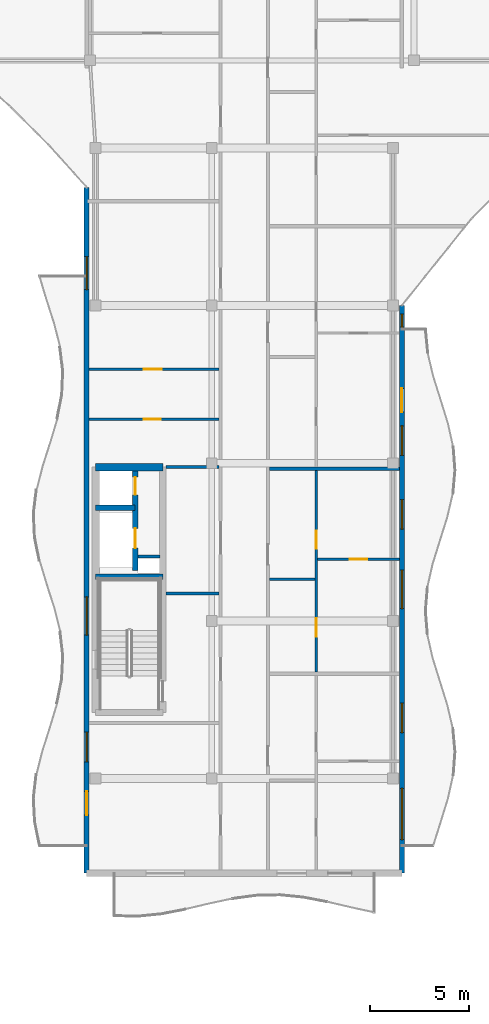
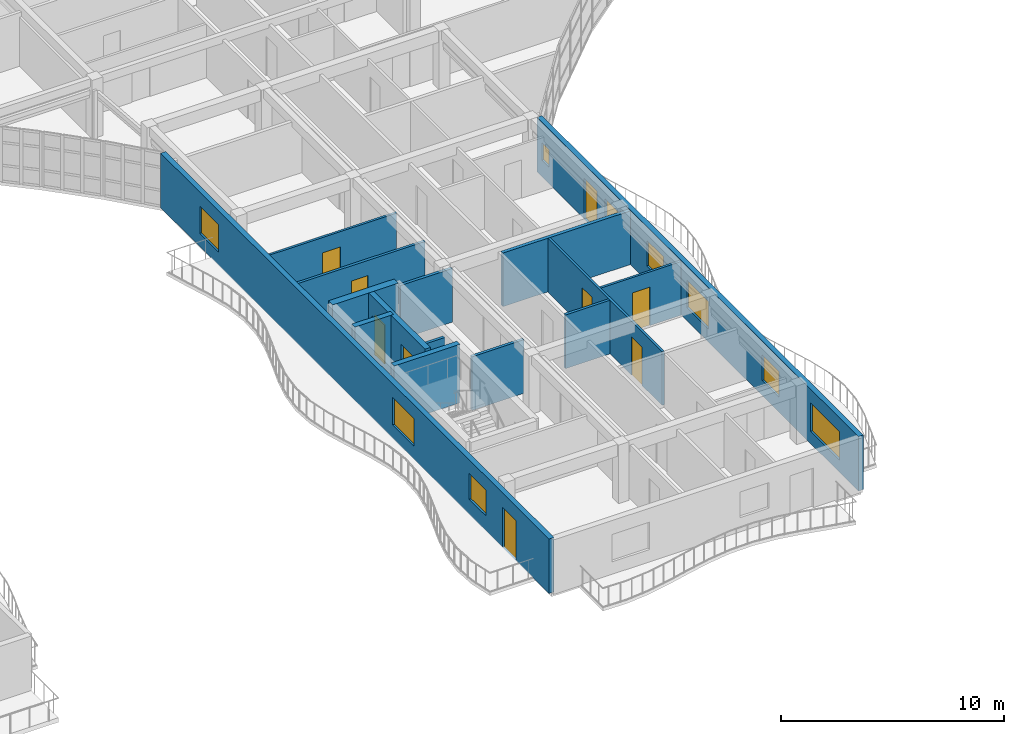
# One storey, part 30 of 68: 15 walls, 9 doors, 9 windows, 18 openings.
"""IFC4 building model written with IfcOpenShell, lengths in metres."""

from ifc_helpers import new_model, si_unit, direction, frame, frame_2d, origin, place, context, subcontext, project, spatial, rectangle, extrude, material, layer, layer_set, type_object, element, fill, save


model = new_model("IFC4")

# Units and contexts
model_context = context("Model", 3, precision=1e-05, world=origin(), true_north=direction((0.0, 1.0)))
body_context = subcontext(model_context, "Body", "Model", "MODEL_VIEW")
ifc_project = project(units=[si_unit("LENGTHUNIT", "METRE"), si_unit("AREAUNIT", "SQUARE_METRE"), si_unit("VOLUMEUNIT", "CUBIC_METRE"), si_unit("PLANEANGLEUNIT", "RADIAN"), si_unit("MASSUNIT", "GRAM", prefix="KILO")], contexts=[model_context])

# Site, building, storey
site_placement = place(None, origin())
site = spatial("IfcSite", under=ifc_project, at=site_placement, CompositionType="ELEMENT")
building_placement = place(site_placement, origin())
building = spatial("IfcBuilding", under=site, at=building_placement, Name="Keldmere Railside Commons", CompositionType="ELEMENT")
storey_placement = place(building_placement, frame((0.0, 0.0, 23.360107421875)))
storey = spatial("IfcBuildingStorey", under=building, at=storey_placement, Name="L07", CompositionType="ELEMENT", Elevation=23.360107421875)

# Wall
ifc_material_1 = material(Name="Acoustic Gypsum Board Partition", Category="gypsum")
ifc_layer_1 = layer(ifc_material_1, 0.179931640625, Name="Acoustic Demising Partition 180")
ifc_layer_set_1 = layer_set([ifc_layer_1], Name="Acoustic Gypsum Board Partition")
wall_type_1 = type_object("IfcWallType", Name="Acoustic Demising Partition 180", PredefinedType="PARTITIONING", material=ifc_layer_set_1)
wall_1_placement = place(storey_placement, frame((57.280029296875, 79.719970703125, 0.0), z_axis=(0.0, 0.0, 1.0), x_axis=(1.0, 0.0, 0.0)))
element("IfcWall", 1, at=wall_1_placement, inside=storey, type_object=wall_type_1, Name="IW-1 IW-L07-0782", PredefinedType="PARTITIONING", context=body_context, shape_type="SweptSolid", body=[
    extrude(rectangle(XDim=6.590087890625, YDim=0.179931640625, at=frame_2d((3.294921875, 0.0))), origin(), (0.0, 0.0, 1.0), 2.934814453125),
])

# Wall, openings, doors
ifc_layer_2 = layer(ifc_material_1, 0.1201171875, Name="Apartment Interior Partition 120")
ifc_layer_set_2 = layer_set([ifc_layer_2], Name="Acoustic Gypsum Board Partition")
wall_type_2 = type_object("IfcWallType", Name="Apartment Interior Partition 120", PredefinedType="PARTITIONING", material=ifc_layer_set_2)
wall_2_placement = place(storey_placement, frame((59.659912109375, 69.39990234375, 0.0), z_axis=(0.0, 0.0, 1.0), x_axis=(0.0, 1.0, 0.0)))
wall_2 = element("IfcWall", 2, at=wall_2_placement, inside=storey, type_object=wall_type_2, Name="IW-4 IW-L07-0787", PredefinedType="PARTITIONING", context=body_context, shape_type="SweptSolid", body=[
    extrude(rectangle(XDim=10.22998046875, YDim=0.1201171875, at=frame_2d((5.114990234375, 0.0))), origin(), (0.0, 0.0, 1.0), 2.934814453125),
])
opening_1_placement = place(wall_2_placement, frame((1.789794921875, 0.0, 0.0)))
opening_1 = element("IfcOpeningElement", 3, at=opening_1_placement, cuts=wall_2, Name="Opening ID-05", PredefinedType="OPENING", context=body_context, shape_type="SweptSolid", body=[
    extrude(rectangle(XDim=0.93994140625, YDim=2.10009765625, at=frame_2d((0.469970703125, 1.050048828125))), frame((0.0, 0.070068359375, 0.0), z_axis=(0.0, -1.0, 0.0), x_axis=(1.0, 0.0, 0.0)), (0.0, 0.0, 1.0), 0.14013671875),
])
opening_2_placement = place(wall_2_placement, frame((6.255615234375, 0.0, 0.0)))
opening_2 = element("IfcOpeningElement", 4, at=opening_2_placement, cuts=wall_2, Name="Opening ID-03", PredefinedType="OPENING", context=body_context, shape_type="SweptSolid", body=[
    extrude(rectangle(XDim=0.919921875, YDim=2.10009765625, at=frame_2d((0.4599609375, 1.050048828125))), frame((0.0, 0.070068359375, 0.0), z_axis=(0.0, -1.0, 0.0), x_axis=(1.0, 0.0, 0.0)), (0.0, 0.0, 1.0), 0.14013671875),
])
ifc_material_2 = material(Name="Engineered Oak Timber", Category="wood")
door_type_1 = type_object("IfcDoorType", Name="Accessible Bathroom Door 940x2100", OperationType="NOTDEFINED", PredefinedType="DOOR", material=ifc_material_2)
door_1_placement = place(opening_1_placement, origin())
door_1 = element("IfcDoor", 5, at=door_1_placement, inside=storey, type_object=door_type_1, Name="ID-05 IDR-L07-0667", OperationType="SINGLE_SWING_LEFT", OverallHeight=2.10009765625, OverallWidth=0.93994140625, PredefinedType="DOOR", context=body_context, shape_type="SweptSolid", body=[
    extrude(rectangle(XDim=0.93994140625, YDim=2.10009765625, at=frame_2d((0.469970703125, 1.050048828125))), frame((0.0, 0.02490234375, 0.0), z_axis=(0.0, -1.0, 0.0), x_axis=(1.0, 0.0, 0.0)), (0.0, 0.0, 1.0), 0.050048828125),
])
fill(opening_1, door_1)
door_type_2 = type_object("IfcDoorType", Name="Kitchen Pocket-Frame Swing Door 920x2100", OperationType="NOTDEFINED", PredefinedType="DOOR", material=ifc_material_2)
door_2_placement = place(opening_2_placement, origin())
door_2 = element("IfcDoor", 6, at=door_2_placement, inside=storey, type_object=door_type_2, Name="ID-03 IDR-L07-0668", OperationType="SINGLE_SWING_RIGHT", OverallHeight=2.10009765625, OverallWidth=0.919921875, PredefinedType="DOOR", context=body_context, shape_type="SweptSolid", body=[
    extrude(rectangle(XDim=0.919921875, YDim=2.10009765625, at=frame_2d((0.4599609375, 1.050048828125))), frame((0.0, 0.02490234375, 0.0), z_axis=(0.0, -1.0, 0.0), x_axis=(1.0, 0.0, 0.0)), (0.0, 0.0, 1.0), 0.050048828125),
])
fill(opening_2, door_2)

# Wall, opening, door
wall_3_placement = place(storey_placement, frame((59.719970703125, 75.1298828125, 0.0), z_axis=(0.0, 0.0, 1.0), x_axis=(1.0, 0.0, 0.0)))
wall_3 = element("IfcWall", 7, at=wall_3_placement, inside=storey, type_object=wall_type_2, Name="IW-4 IW-L07-0789", PredefinedType="PARTITIONING", context=body_context, shape_type="SweptSolid", body=[
    extrude(rectangle(XDim=4.150146484375, YDim=0.1201171875, at=frame_2d((2.0751953125, 0.0))), origin(), (0.0, 0.0, 1.0), 2.934814453125),
])
opening_3_placement = place(wall_3_placement, frame((1.625, 0.0, 0.0)))
opening_3 = element("IfcOpeningElement", 8, at=opening_3_placement, cuts=wall_3, Name="Opening ID-01", PredefinedType="OPENING", context=body_context, shape_type="SweptSolid", body=[
    extrude(rectangle(XDim=0.89990234375, YDim=2.10009765625, at=frame_2d((0.449951171875, 1.050048828125))), frame((0.0, 0.070068359375, 0.0), z_axis=(0.0, -1.0, 0.0), x_axis=(1.0, 0.0, 0.0)), (0.0, 0.0, 1.0), 0.14013671875),
])
door_type_3 = type_object("IfcDoorType", Name="Primary Bedroom Door 900x2100", OperationType="NOTDEFINED", PredefinedType="DOOR", material=ifc_material_2)
door_3_placement = place(opening_3_placement, origin())
door_3 = element("IfcDoor", 9, at=door_3_placement, inside=storey, type_object=door_type_3, Name="ID-01 IDR-L07-0670", OperationType="SINGLE_SWING_RIGHT", OverallHeight=2.10009765625, OverallWidth=0.89990234375, PredefinedType="DOOR", context=body_context, shape_type="SweptSolid", body=[
    extrude(rectangle(XDim=0.89990234375, YDim=2.10009765625, at=frame_2d((0.449951171875, 1.050048828125))), frame((0.0, 0.02490234375, 0.0), z_axis=(0.0, -1.0, 0.0), x_axis=(1.0, 0.0, 0.0)), (0.0, 0.0, 1.0), 0.050048828125),
])
fill(opening_3, door_3)

wall_4_placement = place(storey_placement, frame((48.1298828125, 84.780029296875, 0.0), z_axis=(0.0, 0.0, 1.0), x_axis=(1.0, 0.0, 0.0)))
wall_4 = element("IfcWall", 10, at=wall_4_placement, inside=storey, type_object=wall_type_2, Name="IW-4 IW-L07-0809", PredefinedType="PARTITIONING", context=body_context, shape_type="SweptSolid", body=[
    extrude(rectangle(XDim=6.590087890625, YDim=0.1201171875, at=frame_2d((3.294921875, 0.0))), origin(), (0.0, 0.0, 1.0), 2.934814453125),
])
opening_4_placement = place(wall_4_placement, frame((2.767822265625, 0.0, 0.0)))
opening_4 = element("IfcOpeningElement", 11, at=opening_4_placement, cuts=wall_4, Name="Opening ID-03", PredefinedType="OPENING", context=body_context, shape_type="SweptSolid", body=[
    extrude(rectangle(XDim=0.919921875, YDim=2.10009765625, at=frame_2d((0.4599609375, 1.050048828125))), frame((0.0, 0.070068359375, 0.0), z_axis=(0.0, -1.0, 0.0), x_axis=(1.0, 0.0, 0.0)), (0.0, 0.0, 1.0), 0.14013671875),
])
door_4_placement = place(opening_4_placement, origin())
door_4 = element("IfcDoor", 12, at=door_4_placement, inside=storey, type_object=door_type_2, Name="ID-03 IDR-L07-0695", OperationType="SINGLE_SWING_LEFT", OverallHeight=2.10009765625, OverallWidth=0.919921875, PredefinedType="DOOR", context=body_context, shape_type="SweptSolid", body=[
    extrude(rectangle(XDim=0.919921875, YDim=2.10009765625, at=frame_2d((0.4599609375, 1.050048828125))), frame((0.0, 0.02490234375, 0.0), z_axis=(0.0, -1.0, 0.0), x_axis=(1.0, 0.0, 0.0)), (0.0, 0.0, 1.0), 0.050048828125),
])
fill(opening_4, door_4)

# Walls
ifc_material_3 = material(Name="Concrete H-35 (C35/45)", Category="concrete")
ifc_layer_3 = layer(ifc_material_3, 0.280029296875, Name="Core Shear Wall 280")
ifc_layer_set_3 = layer_set([ifc_layer_3], Name="Concrete H-35 (C35/45)")
wall_type_3 = type_object("IfcWallType", Name="Core Shear Wall 280", PredefinedType="SHEAR", material=ifc_layer_set_3)
wall_5_placement = place(storey_placement, frame((48.4599609375, 74.239990234375, 0.0), z_axis=(0.0, 0.0, 1.0), x_axis=(1.0, 0.0, 0.0)))
element("IfcWall", 13, at=wall_5_placement, inside=storey, type_object=wall_type_3, Name="CSW-2 CORECM-L07-0286", PredefinedType="SHEAR", context=body_context, shape_type="SweptSolid", body=[
    extrude(rectangle(XDim=3.41015625, YDim=0.280029296875, at=frame_2d((1.705078125, 0.0))), origin(), (0.0, 0.0, 1.0), 3.199951171875),
])
wall_6_placement = place(storey_placement, frame((48.4599609375, 77.75, 0.0), z_axis=(0.0, 0.0, 1.0), x_axis=(1.0, 0.0, 0.0)))
element("IfcWall", 14, at=wall_6_placement, inside=storey, type_object=wall_type_3, Name="CSW-2 CORECL-L07-0287", PredefinedType="SHEAR", context=body_context, shape_type="SweptSolid", body=[
    extrude(rectangle(XDim=2.0, YDim=0.280029296875, at=frame_2d((1.0, 0.0))), origin(), (0.0, 0.0, 1.0), 3.199951171875),
])

# Wall, openings, doors
wall_7_placement = place(storey_placement, frame((50.4599609375, 74.550048828125, 0.0), z_axis=(0.0, 0.0, 1.0), x_axis=(0.0, 1.0, 0.0)))
wall_7 = element("IfcWall", 15, at=wall_7_placement, inside=storey, type_object=wall_type_3, Name="CSW-2 LSHC-L07-0288", PredefinedType="SHEAR", context=body_context, shape_type="SweptSolid", body=[
    extrude(rectangle(XDim=5.25, YDim=0.280029296875, at=frame_2d((2.625, 0.0))), origin(), (0.0, 0.0, 1.0), 3.199951171875),
])
opening_5_placement = place(wall_7_placement, frame((1.14990234375, 0.0, 0.0)))
opening_5 = element("IfcOpeningElement", 16, at=opening_5_placement, cuts=wall_7, Name="Opening LD-1", PredefinedType="OPENING", context=body_context, shape_type="SweptSolid", body=[
    extrude(rectangle(XDim=1.0, YDim=2.14990234375, at=frame_2d((0.5, 1.074951171875))), frame((0.0, 0.14990234375, 0.0), z_axis=(0.0, -1.0, 0.0), x_axis=(1.0, 0.0, 0.0)), (0.0, 0.0, 1.0), 0.300048828125),
])
opening_6_placement = place(wall_7_placement, frame((3.85009765625, 0.0, 0.0)))
opening_6 = element("IfcOpeningElement", 17, at=opening_6_placement, cuts=wall_7, Name="Opening LD-2", PredefinedType="OPENING", context=body_context, shape_type="SweptSolid", body=[
    extrude(rectangle(XDim=0.89990234375, YDim=2.14990234375, at=frame_2d((0.449951171875, 1.074951171875))), frame((0.0, 0.14990234375, 0.0), z_axis=(0.0, -1.0, 0.0), x_axis=(1.0, 0.0, 0.0)), (0.0, 0.0, 1.0), 0.300048828125),
])
ifc_material_4 = material(Name="Steel F-24 (S235)", Category="steel")
door_type_4 = type_object("IfcDoorType", Name="Firefighting Stretcher Lift Landing Door 1000x2150", OperationType="SLIDING_TO_LEFT", PredefinedType="DOOR", material=ifc_material_4)
door_5_placement = place(opening_5_placement, origin())
door_5 = element("IfcDoor", 18, at=door_5_placement, inside=storey, type_object=door_type_4, Name="LD-1 C L07", OperationType="SLIDING_TO_LEFT", OverallHeight=2.14990234375, OverallWidth=1.0, PredefinedType="DOOR", context=body_context, shape_type="SweptSolid", body=[
    extrude(rectangle(XDim=1.0, YDim=2.14990234375, at=frame_2d((0.5, 1.074951171875))), frame((0.0, 0.02490234375, 0.0), z_axis=(0.0, -1.0, 0.0), x_axis=(1.0, 0.0, 0.0)), (0.0, 0.0, 1.0), 0.050048828125),
])
fill(opening_5, door_5)
door_type_5 = type_object("IfcDoorType", Name="Passenger Lift Sliding Landing Door 900x2150", OperationType="SLIDING_TO_RIGHT", PredefinedType="DOOR", material=ifc_material_4)
door_6_placement = place(opening_6_placement, origin())
door_6 = element("IfcDoor", 19, at=door_6_placement, inside=storey, type_object=door_type_5, Name="LD-2 C L07", OperationType="SLIDING_TO_RIGHT", OverallHeight=2.14990234375, OverallWidth=0.89990234375, PredefinedType="DOOR", context=body_context, shape_type="SweptSolid", body=[
    extrude(rectangle(XDim=0.89990234375, YDim=2.14990234375, at=frame_2d((0.449951171875, 1.074951171875))), frame((0.0, 0.02490234375, 0.0), z_axis=(0.0, -1.0, 0.0), x_axis=(1.0, 0.0, 0.0)), (0.0, 0.0, 1.0), 0.050048828125),
])
fill(opening_6, door_6)

# Walls
ifc_material_5 = material(Name="Concrete H-40 (C40/50)", Category="concrete")
ifc_layer_4 = layer(ifc_material_5, 0.3798828125, Name="Core Shear Wall 380")
ifc_layer_set_4 = layer_set([ifc_layer_4], Name="Concrete H-40 (C40/50)")
wall_type_4 = type_object("IfcWallType", Name="Core Shear Wall 380", PredefinedType="SHEAR", material=ifc_layer_set_4)
wall_8_placement = place(storey_placement, frame((48.4599609375, 79.800048828125, 0.0), z_axis=(0.0, 0.0, 1.0), x_axis=(1.0, 0.0, 0.0)))
element("IfcWall", 20, at=wall_8_placement, inside=storey, type_object=wall_type_4, Name="CW-CORE CORECN-L07-0283", PredefinedType="SHEAR", context=body_context, shape_type="SweptSolid", body=[
    extrude(rectangle(XDim=3.41015625, YDim=0.3798828125, at=frame_2d((1.705078125, 0.0))), origin(), (0.0, 0.0, 1.0), 3.199951171875),
])
ifc_layer_5 = layer(ifc_material_1, 0.14990234375, Name="Lobby Rated Partition 150")
ifc_layer_set_5 = layer_set([ifc_layer_5], Name="Acoustic Gypsum Board Partition")
wall_type_5 = type_object("IfcWallType", Name="Lobby Rated Partition 150", PredefinedType="PARTITIONING", material=ifc_layer_set_5)
wall_9_placement = place(storey_placement, frame((50.60009765625, 75.280029296875, 0.0), z_axis=(0.0, 0.0, 1.0), x_axis=(1.0, 0.0, 0.0)))
element("IfcWall", 21, at=wall_9_placement, inside=storey, type_object=wall_type_5, Name="IW-3 RSRNC-L07-0289", PredefinedType="PARTITIONING", context=body_context, shape_type="SweptSolid", body=[
    extrude(rectangle(XDim=1.1298828125, YDim=0.14990234375, at=frame_2d((0.56494140625, 0.0))), origin(), (0.0, 0.0, 1.0), 2.949951171875),
])
for number, where, z_axis, x_axis, name in (
    (22, (52.0400390625, 73.3798828125, 0.0), (0.0, 0.0, 1.0), (1.0, 0.0, 0.0), "IW-3 IW-L07-0770"),
    (23, (52.0400390625, 79.800048828125, 0.0), (0.0, 0.0, 1.0), (1.0, 0.0, 0.0), "IW-3 IW-L07-0771"),
):
    element("IfcWall", number, at=place(storey_placement, frame(where, z_axis=z_axis, x_axis=x_axis)), inside=storey, type_object=wall_type_5, Name=name, PredefinedType="PARTITIONING", context=body_context, shape_type="SweptSolid", body=[
        extrude(rectangle(XDim=2.679931640625, YDim=0.14990234375, at=frame_2d((1.33984375, 0.0))), origin(), (0.0, 0.0, 1.0), 2.934814453125),
    ])

# Wall, openings, windows, door
ifc_material_6 = material(Name="Terracotta Brick Masonry", Category="masonry")
ifc_layer_6 = layer(ifc_material_6, 0.260009765625, Name="Terracotta Cavity Wall 260")
ifc_layer_set_6 = layer_set([ifc_layer_6], Name="Terracotta Brick Masonry")
wall_type_6 = type_object("IfcWallType", Name="Terracotta Cavity Wall 260", PredefinedType="SOLIDWALL", material=ifc_layer_set_6)
wall_10_placement = place(storey_placement, frame((64.0, 88.0, 0.0), z_axis=(0.0, 0.0, 1.0), x_axis=(0.0, -1.0, 0.0)))
wall_10 = element("IfcWall", 24, at=wall_10_placement, inside=storey, type_object=wall_type_6, Name="EW-1 EXTC-L07-0381", PredefinedType="SOLIDWALL", context=body_context, shape_type="SweptSolid", body=[
    extrude(rectangle(XDim=28.800048828125, YDim=0.260009765625, at=frame_2d((14.39990234375, 0.0))), origin(), (0.0, 0.0, 1.0), 2.97998046875),
])
opening_7_placement = place(wall_10_placement, frame((4.199951171875, 0.0, 0.0)))
opening_7 = element("IfcOpeningElement", 25, at=opening_7_placement, cuts=wall_10, Name="Opening BD-01", PredefinedType="OPENING", context=body_context, shape_type="SweptSolid", body=[
    extrude(rectangle(XDim=1.199951171875, YDim=2.199951171875, at=frame_2d((0.60009765625, 1.10009765625))), frame((0.0, 0.139892578125, 0.0), z_axis=(0.0, -1.0, 0.0), x_axis=(1.0, 0.0, 0.0)), (0.0, 0.0, 1.0), 0.280029296875),
])
opening_8_placement = place(wall_10_placement, frame((6.10009765625, 0.0, 0.820068359375)))
opening_8 = element("IfcOpeningElement", 26, at=opening_8_placement, cuts=wall_10, Name="Opening WN-06", PredefinedType="OPENING", context=body_context, shape_type="SweptSolid", body=[
    extrude(rectangle(XDim=1.5, YDim=1.39990234375, at=frame_2d((0.75, 0.699951171875))), frame((0.0, 0.139892578125, 0.0), z_axis=(0.0, -1.0, 0.0), x_axis=(1.0, 0.0, 0.0)), (0.0, 0.0, 1.0), 0.280029296875),
])
opening_9_placement = place(wall_10_placement, frame((13.425048828125, 0.0, 0.719970703125)))
opening_9 = element("IfcOpeningElement", 27, at=opening_9_placement, cuts=wall_10, Name="Opening WN-38", PredefinedType="OPENING", context=body_context, shape_type="SweptSolid", body=[
    extrude(rectangle(XDim=1.949951171875, YDim=1.5, at=frame_2d((0.97509765625, 0.75))), frame((0.0, 0.139892578125, 0.0), z_axis=(0.0, -1.0, 0.0), x_axis=(1.0, 0.0, 0.0)), (0.0, 0.0, 1.0), 0.280029296875),
])
opening_10_placement = place(wall_10_placement, frame((24.5, 0.0, 0.669921875)))
opening_10 = element("IfcOpeningElement", 28, at=opening_10_placement, cuts=wall_10, Name="Opening WN-39", PredefinedType="OPENING", context=body_context, shape_type="SweptSolid", body=[
    extrude(rectangle(XDim=2.60009765625, YDim=1.550048828125, at=frame_2d((1.300048828125, 0.77490234375))), frame((0.0, 0.139892578125, 0.0), z_axis=(0.0, -1.0, 0.0), x_axis=(1.0, 0.0, 0.0)), (0.0, 0.0, 1.0), 0.280029296875),
])
opening_11_placement = place(wall_10_placement, frame((20.175048828125, 0.0, 0.820068359375)))
opening_11 = element("IfcOpeningElement", 29, at=opening_11_placement, cuts=wall_10, Name="Opening WN-06", PredefinedType="OPENING", context=body_context, shape_type="SweptSolid", body=[
    extrude(rectangle(XDim=1.5, YDim=1.39990234375, at=frame_2d((0.75, 0.699951171875))), frame((0.0, 0.139892578125, 0.0), z_axis=(0.0, -1.0, 0.0), x_axis=(1.0, 0.0, 0.0)), (0.0, 0.0, 1.0), 0.280029296875),
])
opening_12_placement = place(wall_10_placement, frame((9.844970703125, 0.0, 0.820068359375)))
opening_12 = element("IfcOpeningElement", 30, at=opening_12_placement, cuts=wall_10, Name="Opening WN-06", PredefinedType="OPENING", context=body_context, shape_type="SweptSolid", body=[
    extrude(rectangle(XDim=1.5, YDim=1.39990234375, at=frame_2d((0.75, 0.699951171875))), frame((0.0, 0.139892578125, 0.0), z_axis=(0.0, -1.0, 0.0), x_axis=(1.0, 0.0, 0.0)), (0.0, 0.0, 1.0), 0.280029296875),
])
opening_13_placement = place(wall_10_placement, frame((0.43505859375, 0.0, 0.89990234375)))
opening_13 = element("IfcOpeningElement", 31, at=opening_13_placement, cuts=wall_10, Name="Opening WN-15", PredefinedType="OPENING", context=body_context, shape_type="SweptSolid", body=[
    extrude(rectangle(XDim=0.64990234375, YDim=0.949951171875, at=frame_2d((0.324951171875, 0.47509765625))), frame((0.0, 0.139892578125, 0.0), z_axis=(0.0, -1.0, 0.0), x_axis=(1.0, 0.0, 0.0)), (0.0, 0.0, 1.0), 0.280029296875),
])
ifc_material_7 = material(Name="Low-E Insulated Double Glazing", Category="glass")
window_type_1 = type_object("IfcWindowType", Name="Adaptable Apartment Wide Window 1950x1500", PartitioningType="SINGLE_PANEL", PredefinedType="WINDOW", material=ifc_material_7)
window_1_placement = place(opening_9_placement, origin())
window_1 = element("IfcWindow", 32, at=window_1_placement, inside=storey, type_object=window_type_1, Name="WN-38 WIN-L07-0291", OverallHeight=1.5, OverallWidth=1.949951171875, PartitioningType="SINGLE_PANEL", PredefinedType="WINDOW", context=body_context, shape_type="SweptSolid", body=[
    extrude(rectangle(XDim=1.949951171875, YDim=1.5, at=frame_2d((0.97509765625, 0.75))), frame((0.0, 0.030029296875, 0.0), z_axis=(0.0, -1.0, 0.0), x_axis=(1.0, 0.0, 0.0)), (0.0, 0.0, 1.0), 0.06005859375),
])
fill(opening_9, window_1)
ifc_material_8 = material(Name="Thermally Broken Aluminium", Category="aluminium")
door_type_6 = type_object("IfcDoorType", Name="Apartment Living Wave-Balcony Glazed Door 1200x2200", OperationType="NOTDEFINED", PredefinedType="DOOR", material=ifc_material_8)
door_7_placement = place(opening_7_placement, origin())
door_7 = element("IfcDoor", 33, at=door_7_placement, inside=storey, type_object=door_type_6, Name="BD-01 DR-L07-0102", OperationType="SINGLE_SWING_RIGHT", OverallHeight=2.199951171875, OverallWidth=1.199951171875, PredefinedType="DOOR", context=body_context, shape_type="SweptSolid", body=[
    extrude(rectangle(XDim=1.199951171875, YDim=2.199951171875, at=frame_2d((0.60009765625, 1.10009765625))), frame((0.0, 0.02490234375, 0.0), z_axis=(0.0, -1.0, 0.0), x_axis=(1.0, 0.0, 0.0)), (0.0, 0.0, 1.0), 0.050048828125),
])
fill(opening_7, door_7)
window_type_2 = type_object("IfcWindowType", Name="Exterior Bathroom Frosted Window 650x950", PartitioningType="SINGLE_PANEL", PredefinedType="WINDOW", material=ifc_material_7)
window_2_placement = place(opening_13_placement, origin())
window_2 = element("IfcWindow", 34, at=window_2_placement, inside=storey, type_object=window_type_2, Name="WN-15 WIN-L07-9061", OverallHeight=0.949951171875, OverallWidth=0.64990234375, PartitioningType="SINGLE_PANEL", PredefinedType="WINDOW", context=body_context, shape_type="SweptSolid", body=[
    extrude(rectangle(XDim=0.64990234375, YDim=0.949951171875, at=frame_2d((0.324951171875, 0.47509765625))), frame((0.0, 0.030029296875, 0.0), z_axis=(0.0, -1.0, 0.0), x_axis=(1.0, 0.0, 0.0)), (0.0, 0.0, 1.0), 0.06005859375),
])
fill(opening_13, window_2)
window_type_3 = type_object("IfcWindowType", Name="Primary Bedroom North Window 1500x1400", PartitioningType="SINGLE_PANEL", PredefinedType="WINDOW", material=ifc_material_7)
window_3_placement = place(opening_8_placement, origin())
window_3 = element("IfcWindow", 35, at=window_3_placement, inside=storey, type_object=window_type_3, Name="WN-06 WIN-L07-0290", OverallHeight=1.39990234375, OverallWidth=1.5, PartitioningType="SINGLE_PANEL", PredefinedType="WINDOW", context=body_context, shape_type="SweptSolid", body=[
    extrude(rectangle(XDim=1.5, YDim=1.39990234375, at=frame_2d((0.75, 0.699951171875))), frame((0.0, 0.030029296875, 0.0), z_axis=(0.0, -1.0, 0.0), x_axis=(1.0, 0.0, 0.0)), (0.0, 0.0, 1.0), 0.06005859375),
])
fill(opening_8, window_3)
window_4_placement = place(opening_11_placement, origin())
window_4 = element("IfcWindow", 36, at=window_4_placement, inside=storey, type_object=window_type_3, Name="WN-06 WIN-L07-9059", OverallHeight=1.39990234375, OverallWidth=1.5, PartitioningType="SINGLE_PANEL", PredefinedType="WINDOW", context=body_context, shape_type="SweptSolid", body=[
    extrude(rectangle(XDim=1.5, YDim=1.39990234375, at=frame_2d((0.75, 0.699951171875))), frame((0.0, 0.030029296875, 0.0), z_axis=(0.0, -1.0, 0.0), x_axis=(1.0, 0.0, 0.0)), (0.0, 0.0, 1.0), 0.06005859375),
])
fill(opening_11, window_4)
window_5_placement = place(opening_12_placement, origin())
window_5 = element("IfcWindow", 37, at=window_5_placement, inside=storey, type_object=window_type_3, Name="WN-06 WIN-L07-9060", OverallHeight=1.39990234375, OverallWidth=1.5, PartitioningType="SINGLE_PANEL", PredefinedType="WINDOW", context=body_context, shape_type="SweptSolid", body=[
    extrude(rectangle(XDim=1.5, YDim=1.39990234375, at=frame_2d((0.75, 0.699951171875))), frame((0.0, 0.030029296875, 0.0), z_axis=(0.0, -1.0, 0.0), x_axis=(1.0, 0.0, 0.0)), (0.0, 0.0, 1.0), 0.06005859375),
])
fill(opening_12, window_5)
window_type_4 = type_object("IfcWindowType", Name="Three-Bed Corner Living Window 2600x1550", PartitioningType="SINGLE_PANEL", PredefinedType="WINDOW", material=ifc_material_7)
window_6_placement = place(opening_10_placement, origin())
window_6 = element("IfcWindow", 38, at=window_6_placement, inside=storey, type_object=window_type_4, Name="WN-39 WIN-L07-0292", OverallHeight=1.550048828125, OverallWidth=2.60009765625, PartitioningType="SINGLE_PANEL", PredefinedType="WINDOW", context=body_context, shape_type="SweptSolid", body=[
    extrude(rectangle(XDim=2.60009765625, YDim=1.550048828125, at=frame_2d((1.300048828125, 0.77490234375))), frame((0.0, 0.030029296875, 0.0), z_axis=(0.0, -1.0, 0.0), x_axis=(1.0, 0.0, 0.0)), (0.0, 0.0, 1.0), 0.06005859375),
])
fill(opening_10, window_6)

wall_11_placement = place(storey_placement, frame((48.0, 59.199951171875, 0.0), z_axis=(0.0, 0.0, 1.0), x_axis=(0.0, 1.0, 0.0)))
wall_11 = element("IfcWall", 39, at=wall_11_placement, inside=storey, type_object=wall_type_6, Name="EW-1 EXTC-L07-0387", PredefinedType="SOLIDWALL", context=body_context, shape_type="SweptSolid", body=[
    extrude(rectangle(XDim=34.800048828125, YDim=0.260009765625, at=frame_2d((17.39990234375, 0.0))), origin(), (0.0, 0.0, 1.0), 2.97998046875),
])
opening_14_placement = place(wall_11_placement, frame((2.949951171875, 0.0, 0.0)))
opening_14 = element("IfcOpeningElement", 40, at=opening_14_placement, cuts=wall_11, Name="Opening BD-01", PredefinedType="OPENING", context=body_context, shape_type="SweptSolid", body=[
    extrude(rectangle(XDim=1.199951171875, YDim=2.199951171875, at=frame_2d((0.60009765625, 1.10009765625))), frame((0.0, 0.139892578125, 0.0), z_axis=(0.0, -1.0, 0.0), x_axis=(1.0, 0.0, 0.0)), (0.0, 0.0, 1.0), 0.280029296875),
])
opening_15_placement = place(wall_11_placement, frame((5.64990234375, 0.0, 0.820068359375)))
opening_15 = element("IfcOpeningElement", 41, at=opening_15_placement, cuts=wall_11, Name="Opening WN-06", PredefinedType="OPENING", context=body_context, shape_type="SweptSolid", body=[
    extrude(rectangle(XDim=1.5, YDim=1.39990234375, at=frame_2d((0.75, 0.699951171875))), frame((0.0, 0.139892578125, 0.0), z_axis=(0.0, -1.0, 0.0), x_axis=(1.0, 0.0, 0.0)), (0.0, 0.0, 1.0), 0.280029296875),
])
opening_16_placement = place(wall_11_placement, frame((12.074951171875, 0.0, 0.719970703125)))
opening_16 = element("IfcOpeningElement", 42, at=opening_16_placement, cuts=wall_11, Name="Opening WN-38", PredefinedType="OPENING", context=body_context, shape_type="SweptSolid", body=[
    extrude(rectangle(XDim=1.949951171875, YDim=1.5, at=frame_2d((0.97509765625, 0.75))), frame((0.0, 0.139892578125, 0.0), z_axis=(0.0, -1.0, 0.0), x_axis=(1.0, 0.0, 0.0)), (0.0, 0.0, 1.0), 0.280029296875),
])
opening_17_placement = place(wall_11_placement, frame((29.610107421875, 0.0, 0.719970703125)))
opening_17 = element("IfcOpeningElement", 43, at=opening_17_placement, cuts=wall_11, Name="Opening WN-40", PredefinedType="OPENING", context=body_context, shape_type="SweptSolid", body=[
    extrude(rectangle(XDim=1.679931640625, YDim=1.5, at=frame_2d((0.83984375, 0.75))), frame((0.0, 0.139892578125, 0.0), z_axis=(0.0, -1.0, 0.0), x_axis=(1.0, 0.0, 0.0)), (0.0, 0.0, 1.0), 0.280029296875),
])
window_7_placement = place(opening_16_placement, origin())
window_7 = element("IfcWindow", 44, at=window_7_placement, inside=storey, type_object=window_type_1, Name="WN-38 WIN-L07-0303", OverallHeight=1.5, OverallWidth=1.949951171875, PartitioningType="SINGLE_PANEL", PredefinedType="WINDOW", context=body_context, shape_type="SweptSolid", body=[
    extrude(rectangle(XDim=1.949951171875, YDim=1.5, at=frame_2d((0.97509765625, 0.75))), frame((0.0, 0.030029296875, 0.0), z_axis=(0.0, -1.0, 0.0), x_axis=(1.0, 0.0, 0.0)), (0.0, 0.0, 1.0), 0.06005859375),
])
fill(opening_16, window_7)
door_8_placement = place(opening_14_placement, origin())
door_8 = element("IfcDoor", 45, at=door_8_placement, inside=storey, type_object=door_type_6, Name="BD-01 DR-L07-0106", OperationType="SINGLE_SWING_RIGHT", OverallHeight=2.199951171875, OverallWidth=1.199951171875, PredefinedType="DOOR", context=body_context, shape_type="SweptSolid", body=[
    extrude(rectangle(XDim=1.199951171875, YDim=2.199951171875, at=frame_2d((0.60009765625, 1.10009765625))), frame((0.0, 0.02490234375, 0.0), z_axis=(0.0, -1.0, 0.0), x_axis=(1.0, 0.0, 0.0)), (0.0, 0.0, 1.0), 0.050048828125),
])
fill(opening_14, door_8)
window_8_placement = place(opening_15_placement, origin())
window_8 = element("IfcWindow", 46, at=window_8_placement, inside=storey, type_object=window_type_3, Name="WN-06 WIN-L07-0302", OverallHeight=1.39990234375, OverallWidth=1.5, PartitioningType="SINGLE_PANEL", PredefinedType="WINDOW", context=body_context, shape_type="SweptSolid", body=[
    extrude(rectangle(XDim=1.5, YDim=1.39990234375, at=frame_2d((0.75, 0.699951171875))), frame((0.0, 0.030029296875, 0.0), z_axis=(0.0, -1.0, 0.0), x_axis=(1.0, 0.0, 0.0)), (0.0, 0.0, 1.0), 0.06005859375),
])
fill(opening_15, window_8)
window_type_5 = type_object("IfcWindowType", Name="Two-Bed Dining Casement Window 1680x1500", PartitioningType="SINGLE_PANEL", PredefinedType="WINDOW", material=ifc_material_7)
window_9_placement = place(opening_17_placement, origin())
window_9 = element("IfcWindow", 47, at=window_9_placement, inside=storey, type_object=window_type_5, Name="WN-40 WIN-L07-0305", OverallHeight=1.5, OverallWidth=1.679931640625, PartitioningType="SINGLE_PANEL", PredefinedType="WINDOW", context=body_context, shape_type="SweptSolid", body=[
    extrude(rectangle(XDim=1.679931640625, YDim=1.5, at=frame_2d((0.83984375, 0.75))), frame((0.0, 0.030029296875, 0.0), z_axis=(0.0, -1.0, 0.0), x_axis=(1.0, 0.0, 0.0)), (0.0, 0.0, 1.0), 0.06005859375),
])
fill(opening_17, window_9)

# Wall
ifc_layer_7 = layer(ifc_material_1, 0.139892578125, Name="Wet-Room Sanitary Partition 140")
ifc_layer_set_7 = layer_set([ifc_layer_7], Name="Acoustic Gypsum Board Partition")
wall_type_7 = type_object("IfcWallType", Name="Wet-Room Sanitary Partition 140", PredefinedType="PARTITIONING", material=ifc_layer_set_7)
wall_12_placement = place(storey_placement, frame((57.280029296875, 74.110107421875, 0.0), z_axis=(0.0, 0.0, 1.0), x_axis=(1.0, 0.0, 0.0)))
element("IfcWall", 48, at=wall_12_placement, inside=storey, type_object=wall_type_7, Name="IW-5 IW-L07-0788", PredefinedType="PARTITIONING", context=body_context, shape_type="SweptSolid", body=[
    extrude(rectangle(XDim=2.320068359375, YDim=0.139892578125, at=frame_2d((1.16015625, 0.0))), origin(), (0.0, 0.0, 1.0), 2.934814453125),
])

# Wall, opening, door
wall_13_placement = place(storey_placement, frame((48.1298828125, 82.22998046875, 0.0), z_axis=(0.0, 0.0, 1.0), x_axis=(1.0, 0.0, 0.0)))
wall_13 = element("IfcWall", 49, at=wall_13_placement, inside=storey, type_object=wall_type_7, Name="IW-5 IW-L07-0808", PredefinedType="PARTITIONING", context=body_context, shape_type="SweptSolid", body=[
    extrude(rectangle(XDim=6.590087890625, YDim=0.139892578125, at=frame_2d((3.294921875, 0.0))), origin(), (0.0, 0.0, 1.0), 2.934814453125),
])
opening_18_placement = place(wall_13_placement, frame((2.767822265625, 0.0, 0.0)))
opening_18 = element("IfcOpeningElement", 50, at=opening_18_placement, cuts=wall_13, Name="Opening ID-04", PredefinedType="OPENING", context=body_context, shape_type="SweptSolid", body=[
    extrude(rectangle(XDim=0.860107421875, YDim=2.10009765625, at=frame_2d((0.43017578125, 1.050048828125))), frame((0.0, 0.079833984375, 0.0), z_axis=(0.0, -1.0, 0.0), x_axis=(1.0, 0.0, 0.0)), (0.0, 0.0, 1.0), 0.159912109375),
])
door_type_7 = type_object("IfcDoorType", Name="Apartment Bathroom Door 860x2100", OperationType="NOTDEFINED", PredefinedType="DOOR", material=ifc_material_2)
door_9_placement = place(opening_18_placement, origin())
door_9 = element("IfcDoor", 51, at=door_9_placement, inside=storey, type_object=door_type_7, Name="ID-04 IDR-L07-0694", OperationType="SINGLE_SWING_RIGHT", OverallHeight=2.10009765625, OverallWidth=0.860107421875, PredefinedType="DOOR", context=body_context, shape_type="SweptSolid", body=[
    extrude(rectangle(XDim=0.860107421875, YDim=2.10009765625, at=frame_2d((0.43017578125, 1.050048828125))), frame((0.0, 0.02490234375, 0.0), z_axis=(0.0, -1.0, 0.0), x_axis=(1.0, 0.0, 0.0)), (0.0, 0.0, 1.0), 0.050048828125),
])
fill(opening_18, door_9)

save(model, "model.ifc")
